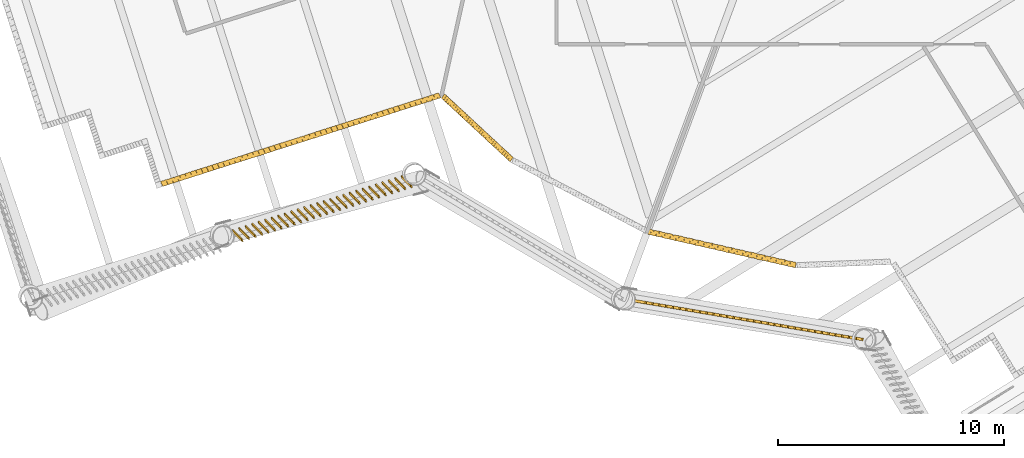
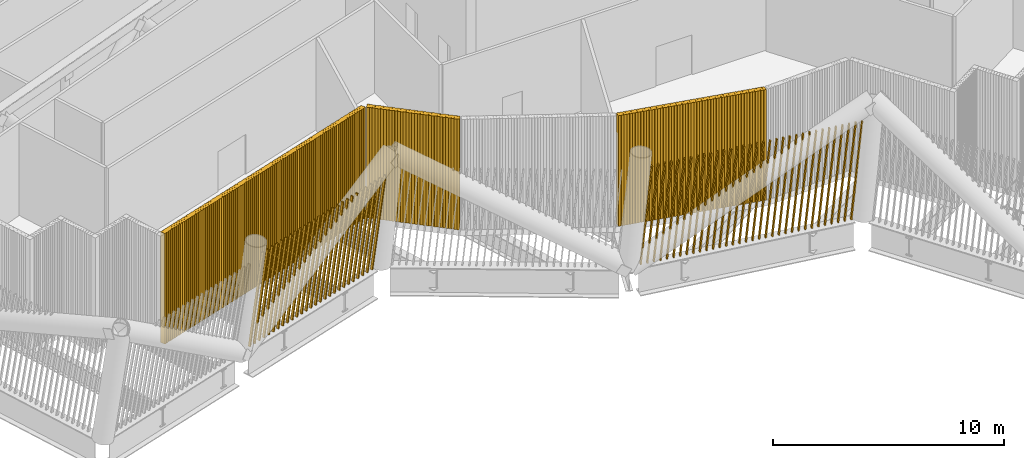
# One storey, part 30 of 40: 5 shading devices.
"""IFC4 building model written with IfcOpenShell, lengths in metres."""

from ifc_helpers import new_model, si_unit, direction, frame, frame_2d, origin, place, context, subcontext, project, spatial, rectangle, composite_profile, extrude, material, type_object, element, save


model = new_model("IFC4")

# Units and contexts
model_context = context("Model", 3, precision=1e-05, world=origin(), true_north=direction((0.0, 1.0)))
body_context = subcontext(model_context, "Body", "Model", "MODEL_VIEW")
ifc_project = project(units=[si_unit("LENGTHUNIT", "METRE"), si_unit("AREAUNIT", "SQUARE_METRE"), si_unit("VOLUMEUNIT", "CUBIC_METRE"), si_unit("PLANEANGLEUNIT", "RADIAN"), si_unit("MASSUNIT", "GRAM", prefix="KILO")], contexts=[model_context])

# Site, building, storey
site_placement = place(None, origin())
site = spatial("IfcSite", under=ifc_project, at=site_placement, CompositionType="ELEMENT")
building_placement = place(site_placement, origin())
building = spatial("IfcBuilding", under=site, at=building_placement, Name="Tarsis Ring Headquarters", CompositionType="ELEMENT")
storey_placement = place(building_placement, frame((0.0, 0.0, 354.800048828125)))
storey = spatial("IfcBuildingStorey", under=building, at=storey_placement, Name="L84", CompositionType="ELEMENT", Elevation=354.800048828125)

# Shading devices
ifc_material_1 = material(Name="Aluminium louvre", Category="aluminium")
shading_device_type_1 = type_object("IfcShadingDeviceType", Name="Plant louvre fin", PredefinedType="USERDEFINED", material=ifc_material_1)
shading_device_1_placement = place(storey_placement, frame((-30.455078125, -22.17138671875, 0.0), z_axis=(0.0, 0.0, 1.0), x_axis=(0.952766914168, 0.303689848665, 0.0)))
element("IfcShadingDevice", 1, at=shading_device_1_placement, inside=storey, type_object=shading_device_type_1, Name="Louvre L84-01", ObjectType="Louvre", PredefinedType="USERDEFINED", context=body_context, shape_type="SweptSolid", body=[
    extrude(composite_profile([rectangle(XDim=0.1201171875, YDim=0.239990234375, at=frame_2d((0.076171875, 0.0), x_axis=(0.990268068742, 0.13917310096))), rectangle(XDim=0.1201171875, YDim=0.239990234375, at=frame_2d((0.201416015625, 0.0), x_axis=(0.990268068742, 0.13917310096))), rectangle(XDim=0.1201171875, YDim=0.239990234375, at=frame_2d((0.32666015625, 0.0), x_axis=(0.990268068742, 0.13917310096))), rectangle(XDim=0.1201171875, YDim=0.239990234375, at=frame_2d((0.45166015625, 0.0), x_axis=(0.990268068742, 0.13917310096))), rectangle(XDim=0.1201171875, YDim=0.239990234375, at=frame_2d((0.576904296875, 0.0), x_axis=(0.990268068742, 0.13917310096))), rectangle(XDim=0.1201171875, YDim=0.239990234375, at=frame_2d((0.7021484375, 0.0), x_axis=(0.990268068742, 0.13917310096))), rectangle(XDim=0.1201171875, YDim=0.239990234375, at=frame_2d((0.827392578125, 0.0), x_axis=(0.990268068742, 0.13917310096))), rectangle(XDim=0.1201171875, YDim=0.239990234375, at=frame_2d((0.95263671875, 0.0), x_axis=(0.990268068742, 0.13917310096))), rectangle(XDim=0.1201171875, YDim=0.239990234375, at=frame_2d((1.07763671875, 0.0), x_axis=(0.990268068742, 0.13917310096))), rectangle(XDim=0.1201171875, YDim=0.239990234375, at=frame_2d((1.202880859375, 0.0), x_axis=(0.990268068742, 0.13917310096))), rectangle(XDim=0.1201171875, YDim=0.239990234375, at=frame_2d((1.328125, 0.0), x_axis=(0.990268068742, 0.13917310096))), rectangle(XDim=0.1201171875, YDim=0.239990234375, at=frame_2d((1.453369140625, 0.0), x_axis=(0.990268068742, 0.13917310096))), rectangle(XDim=0.1201171875, YDim=0.239990234375, at=frame_2d((1.57861328125, 0.0), x_axis=(0.990268068742, 0.13917310096))), rectangle(XDim=0.1201171875, YDim=0.239990234375, at=frame_2d((1.70361328125, 0.0), x_axis=(0.990268068742, 0.13917310096))), rectangle(XDim=0.1201171875, YDim=0.239990234375, at=frame_2d((1.828857421875, 0.0), x_axis=(0.990268068742, 0.13917310096))), rectangle(XDim=0.1201171875, YDim=0.239990234375, at=frame_2d((1.9541015625, 0.0), x_axis=(0.990268068742, 0.13917310096))), rectangle(XDim=0.1201171875, YDim=0.239990234375, at=frame_2d((2.079345703125, 0.0), x_axis=(0.990268068742, 0.13917310096))), rectangle(XDim=0.1201171875, YDim=0.239990234375, at=frame_2d((2.20458984375, 0.0), x_axis=(0.990268068742, 0.13917310096))), rectangle(XDim=0.1201171875, YDim=0.239990234375, at=frame_2d((2.32958984375, 0.0), x_axis=(0.990268068742, 0.13917310096))), rectangle(XDim=0.1201171875, YDim=0.239990234375, at=frame_2d((2.454833984375, 0.0), x_axis=(0.990268068742, 0.13917310096))), rectangle(XDim=0.1201171875, YDim=0.239990234375, at=frame_2d((2.580078125, 0.0), x_axis=(0.990268068742, 0.13917310096))), rectangle(XDim=0.1201171875, YDim=0.239990234375, at=frame_2d((2.705322265625, 0.0), x_axis=(0.990268068742, 0.13917310096))), rectangle(XDim=0.1201171875, YDim=0.239990234375, at=frame_2d((2.830322265625, 0.0), x_axis=(0.990268068742, 0.13917310096))), rectangle(XDim=0.1201171875, YDim=0.239990234375, at=frame_2d((2.95556640625, 0.0), x_axis=(0.990268068742, 0.13917310096))), rectangle(XDim=0.1201171875, YDim=0.239990234375, at=frame_2d((3.080810546875, 0.0), x_axis=(0.990268068742, 0.13917310096))), rectangle(XDim=0.1201171875, YDim=0.239990234375, at=frame_2d((3.2060546875, 0.0), x_axis=(0.990268068742, 0.13917310096))), rectangle(XDim=0.1201171875, YDim=0.239990234375, at=frame_2d((3.331298828125, 0.0), x_axis=(0.990268068742, 0.13917310096))), rectangle(XDim=0.1201171875, YDim=0.239990234375, at=frame_2d((3.456298828125, 0.0), x_axis=(0.990268068742, 0.13917310096))), rectangle(XDim=0.1201171875, YDim=0.239990234375, at=frame_2d((3.58154296875, 0.0), x_axis=(0.990268068742, 0.13917310096))), rectangle(XDim=0.1201171875, YDim=0.239990234375, at=frame_2d((3.706787109375, 0.0), x_axis=(0.990268068742, 0.13917310096))), rectangle(XDim=0.1201171875, YDim=0.239990234375, at=frame_2d((3.83203125, 0.0), x_axis=(0.990268068742, 0.13917310096))), rectangle(XDim=0.1201171875, YDim=0.239990234375, at=frame_2d((3.957275390625, 0.0), x_axis=(0.990268068742, 0.13917310096))), rectangle(XDim=0.1201171875, YDim=0.239990234375, at=frame_2d((4.082275390625, 0.0), x_axis=(0.990268068742, 0.13917310096))), rectangle(XDim=0.1201171875, YDim=0.239990234375, at=frame_2d((4.20751953125, 0.0), x_axis=(0.990268068742, 0.13917310096))), rectangle(XDim=0.1201171875, YDim=0.239990234375, at=frame_2d((4.332763671875, 0.0), x_axis=(0.990268068742, 0.13917310096))), rectangle(XDim=0.1201171875, YDim=0.239990234375, at=frame_2d((4.4580078125, 0.0), x_axis=(0.990268068742, 0.13917310096))), rectangle(XDim=0.1201171875, YDim=0.239990234375, at=frame_2d((4.583251953125, 0.0), x_axis=(0.990268068742, 0.13917310096))), rectangle(XDim=0.1201171875, YDim=0.239990234375, at=frame_2d((4.708251953125, 0.0), x_axis=(0.990268068742, 0.13917310096))), rectangle(XDim=0.1201171875, YDim=0.239990234375, at=frame_2d((4.83349609375, 0.0), x_axis=(0.990268068742, 0.13917310096))), rectangle(XDim=0.1201171875, YDim=0.239990234375, at=frame_2d((4.958740234375, 0.0), x_axis=(0.990268068742, 0.13917310096))), rectangle(XDim=0.1201171875, YDim=0.239990234375, at=frame_2d((5.083984375, 0.0), x_axis=(0.990268068742, 0.13917310096))), rectangle(XDim=0.1201171875, YDim=0.239990234375, at=frame_2d((5.209228515625, 0.0), x_axis=(0.990268068742, 0.13917310096))), rectangle(XDim=0.1201171875, YDim=0.239990234375, at=frame_2d((5.334228515625, 0.0), x_axis=(0.990268068742, 0.13917310096))), rectangle(XDim=0.1201171875, YDim=0.239990234375, at=frame_2d((5.45947265625, 0.0), x_axis=(0.990268068742, 0.13917310096))), rectangle(XDim=0.1201171875, YDim=0.239990234375, at=frame_2d((5.584716796875, 0.0), x_axis=(0.990268068742, 0.13917310096))), rectangle(XDim=0.1201171875, YDim=0.239990234375, at=frame_2d((5.7099609375, 0.0), x_axis=(0.990268068742, 0.13917310096))), rectangle(XDim=0.1201171875, YDim=0.239990234375, at=frame_2d((5.835205078125, 0.0), x_axis=(0.990268068742, 0.13917310096))), rectangle(XDim=0.1201171875, YDim=0.239990234375, at=frame_2d((5.960205078125, 0.0), x_axis=(0.990268068742, 0.13917310096))), rectangle(XDim=0.1201171875, YDim=0.239990234375, at=frame_2d((6.08544921875, 0.0), x_axis=(0.990268068742, 0.13917310096))), rectangle(XDim=0.1201171875, YDim=0.239990234375, at=frame_2d((6.210693359375, 0.0), x_axis=(0.990268068742, 0.13917310096))), rectangle(XDim=0.1201171875, YDim=0.239990234375, at=frame_2d((6.3359375, 0.0), x_axis=(0.990268068742, 0.13917310096))), rectangle(XDim=0.1201171875, YDim=0.239990234375, at=frame_2d((6.4609375, 0.0), x_axis=(0.990268068742, 0.13917310096))), rectangle(XDim=0.1201171875, YDim=0.239990234375, at=frame_2d((6.586181640625, 0.0), x_axis=(0.990268068742, 0.13917310096))), rectangle(XDim=0.1201171875, YDim=0.239990234375, at=frame_2d((6.71142578125, 0.0), x_axis=(0.990268068742, 0.13917310096))), rectangle(XDim=0.1201171875, YDim=0.239990234375, at=frame_2d((6.836669921875, 0.0), x_axis=(0.990268068742, 0.13917310096))), rectangle(XDim=0.1201171875, YDim=0.239990234375, at=frame_2d((6.9619140625, 0.0), x_axis=(0.990268068742, 0.13917310096))), rectangle(XDim=0.1201171875, YDim=0.239990234375, at=frame_2d((7.0869140625, 0.0), x_axis=(0.990268068742, 0.13917310096))), rectangle(XDim=0.1201171875, YDim=0.239990234375, at=frame_2d((7.212158203125, 0.0), x_axis=(0.990268068742, 0.13917310096))), rectangle(XDim=0.1201171875, YDim=0.239990234375, at=frame_2d((7.33740234375, 0.0), x_axis=(0.990268068742, 0.13917310096))), rectangle(XDim=0.1201171875, YDim=0.239990234375, at=frame_2d((7.462646484375, 0.0), x_axis=(0.990268068742, 0.13917310096))), rectangle(XDim=0.1201171875, YDim=0.239990234375, at=frame_2d((7.587890625, 0.0), x_axis=(0.990268068742, 0.13917310096))), rectangle(XDim=0.1201171875, YDim=0.239990234375, at=frame_2d((7.712890625, 0.0), x_axis=(0.990268068742, 0.13917310096))), rectangle(XDim=0.1201171875, YDim=0.239990234375, at=frame_2d((7.838134765625, 0.0), x_axis=(0.990268068742, 0.13917310096))), rectangle(XDim=0.1201171875, YDim=0.239990234375, at=frame_2d((7.96337890625, 0.0), x_axis=(0.990268068742, 0.13917310096))), rectangle(XDim=0.1201171875, YDim=0.239990234375, at=frame_2d((8.088623046875, 0.0), x_axis=(0.990268068742, 0.13917310096))), rectangle(XDim=0.1201171875, YDim=0.239990234375, at=frame_2d((8.2138671875, 0.0), x_axis=(0.990268068742, 0.13917310096))), rectangle(XDim=0.1201171875, YDim=0.239990234375, at=frame_2d((8.3388671875, 0.0), x_axis=(0.990268068742, 0.13917310096))), rectangle(XDim=0.1201171875, YDim=0.239990234375, at=frame_2d((8.464111328125, 0.0), x_axis=(0.990268068742, 0.13917310096))), rectangle(XDim=0.1201171875, YDim=0.239990234375, at=frame_2d((8.58935546875, 0.0), x_axis=(0.990268068742, 0.13917310096))), rectangle(XDim=0.1201171875, YDim=0.239990234375, at=frame_2d((8.714599609375, 0.0), x_axis=(0.990268068742, 0.13917310096))), rectangle(XDim=0.1201171875, YDim=0.239990234375, at=frame_2d((8.83984375, 0.0), x_axis=(0.990268068742, 0.13917310096))), rectangle(XDim=0.1201171875, YDim=0.239990234375, at=frame_2d((8.96484375, 0.0), x_axis=(0.990268068742, 0.13917310096))), rectangle(XDim=0.1201171875, YDim=0.239990234375, at=frame_2d((9.090087890625, 0.0), x_axis=(0.990268068742, 0.13917310096))), rectangle(XDim=0.1201171875, YDim=0.239990234375, at=frame_2d((9.21533203125, 0.0), x_axis=(0.990268068742, 0.13917310096))), rectangle(XDim=0.1201171875, YDim=0.239990234375, at=frame_2d((9.340576171875, 0.0), x_axis=(0.990268068742, 0.13917310096))), rectangle(XDim=0.1201171875, YDim=0.239990234375, at=frame_2d((9.4658203125, 0.0), x_axis=(0.990268068742, 0.13917310096))), rectangle(XDim=0.1201171875, YDim=0.239990234375, at=frame_2d((9.5908203125, 0.0), x_axis=(0.990268068742, 0.13917310096))), rectangle(XDim=0.1201171875, YDim=0.239990234375, at=frame_2d((9.716064453125, 0.0), x_axis=(0.990268068742, 0.13917310096))), rectangle(XDim=0.1201171875, YDim=0.239990234375, at=frame_2d((9.84130859375, 0.0), x_axis=(0.990268068742, 0.13917310096))), rectangle(XDim=0.1201171875, YDim=0.239990234375, at=frame_2d((9.966552734375, 0.0), x_axis=(0.990268068742, 0.13917310096))), rectangle(XDim=0.1201171875, YDim=0.239990234375, at=frame_2d((10.091796875, 0.0), x_axis=(0.990268068742, 0.13917310096))), rectangle(XDim=0.1201171875, YDim=0.239990234375, at=frame_2d((10.216796875, 0.0), x_axis=(0.990268068742, 0.13917310096))), rectangle(XDim=0.1201171875, YDim=0.239990234375, at=frame_2d((10.342041015625, 0.0), x_axis=(0.990268068742, 0.13917310096))), rectangle(XDim=0.1201171875, YDim=0.239990234375, at=frame_2d((10.46728515625, 0.0), x_axis=(0.990268068742, 0.13917310096))), rectangle(XDim=0.1201171875, YDim=0.239990234375, at=frame_2d((10.592529296875, 0.0), x_axis=(0.990268068742, 0.13917310096))), rectangle(XDim=0.1201171875, YDim=0.239990234375, at=frame_2d((10.717529296875, 0.0), x_axis=(0.990268068742, 0.13917310096))), rectangle(XDim=0.1201171875, YDim=0.239990234375, at=frame_2d((10.8427734375, 0.0), x_axis=(0.990268068742, 0.13917310096))), rectangle(XDim=0.1201171875, YDim=0.239990234375, at=frame_2d((10.968017578125, 0.0), x_axis=(0.990268068742, 0.13917310096))), rectangle(XDim=0.1201171875, YDim=0.239990234375, at=frame_2d((11.09326171875, 0.0), x_axis=(0.990268068742, 0.13917310096))), rectangle(XDim=0.1201171875, YDim=0.239990234375, at=frame_2d((11.218505859375, 0.0), x_axis=(0.990268068742, 0.13917310096))), rectangle(XDim=0.1201171875, YDim=0.239990234375, at=frame_2d((11.343505859375, 0.0), x_axis=(0.990268068742, 0.13917310096))), rectangle(XDim=0.1201171875, YDim=0.239990234375, at=frame_2d((11.46875, 0.0), x_axis=(0.990268068742, 0.13917310096))), rectangle(XDim=0.1201171875, YDim=0.239990234375, at=frame_2d((11.593994140625, 0.0), x_axis=(0.990268068742, 0.13917310096))), rectangle(XDim=0.1201171875, YDim=0.239990234375, at=frame_2d((11.71923828125, 0.0), x_axis=(0.990268068742, 0.13917310096))), rectangle(XDim=0.1201171875, YDim=0.239990234375, at=frame_2d((11.844482421875, 0.0), x_axis=(0.990268068742, 0.13917310096))), rectangle(XDim=0.1201171875, YDim=0.239990234375, at=frame_2d((11.969482421875, 0.0), x_axis=(0.990268068742, 0.13917310096))), rectangle(XDim=0.1201171875, YDim=0.239990234375, at=frame_2d((12.0947265625, 0.0), x_axis=(0.990268068742, 0.13917310096))), rectangle(XDim=0.1201171875, YDim=0.239990234375, at=frame_2d((12.219970703125, 0.0), x_axis=(0.990268068742, 0.13917310096))), rectangle(XDim=0.1201171875, YDim=0.239990234375, at=frame_2d((12.34521484375, 0.0), x_axis=(0.990268068742, 0.13917310096))), rectangle(XDim=0.1201171875, YDim=0.239990234375, at=frame_2d((12.470458984375, 0.0), x_axis=(0.990268068742, 0.13917310096))), rectangle(XDim=0.1201171875, YDim=0.239990234375, at=frame_2d((12.595458984375, 0.0), x_axis=(0.990268068742, 0.13917310096))), rectangle(XDim=0.1201171875, YDim=0.239990234375, at=frame_2d((12.720703125, 0.0), x_axis=(0.990268068742, 0.13917310096))), rectangle(XDim=0.1201171875, YDim=0.239990234375, at=frame_2d((12.845947265625, 0.0), x_axis=(0.990268068742, 0.13917310096)))]), origin(), (0.0, 0.0, 1.0), 5.83984375),
])
shading_device_2_placement = place(storey_placement, frame((-18.0205078125, -18.2744140625, 0.0), z_axis=(0.0, 0.0, 1.0), x_axis=(0.733470346447, -0.679682912507, 0.0)))
element("IfcShadingDevice", 2, at=shading_device_2_placement, inside=storey, type_object=shading_device_type_1, Name="Louvre L84-02", ObjectType="Louvre", PredefinedType="USERDEFINED", context=body_context, shape_type="SweptSolid", body=[
    extrude(composite_profile([rectangle(XDim=0.1201171875, YDim=0.239990234375, at=frame_2d((0.076171875, 0.0), x_axis=(0.990268068742, 0.13917310096))), rectangle(XDim=0.1201171875, YDim=0.239990234375, at=frame_2d((0.201416015625, 0.0), x_axis=(0.990268068742, 0.13917310096))), rectangle(XDim=0.1201171875, YDim=0.239990234375, at=frame_2d((0.326416015625, 0.0), x_axis=(0.990268068742, 0.13917310096))), rectangle(XDim=0.1201171875, YDim=0.239990234375, at=frame_2d((0.45166015625, 0.0), x_axis=(0.990268068742, 0.13917310096))), rectangle(XDim=0.1201171875, YDim=0.239990234375, at=frame_2d((0.576904296875, 0.0), x_axis=(0.990268068742, 0.13917310096))), rectangle(XDim=0.1201171875, YDim=0.239990234375, at=frame_2d((0.701904296875, 0.0), x_axis=(0.990268068742, 0.13917310096))), rectangle(XDim=0.1201171875, YDim=0.239990234375, at=frame_2d((0.8271484375, 0.0), x_axis=(0.990268068742, 0.13917310096))), rectangle(XDim=0.1201171875, YDim=0.239990234375, at=frame_2d((0.952392578125, 0.0), x_axis=(0.990268068742, 0.13917310096))), rectangle(XDim=0.1201171875, YDim=0.239990234375, at=frame_2d((1.07763671875, 0.0), x_axis=(0.990268068742, 0.13917310096))), rectangle(XDim=0.1201171875, YDim=0.239990234375, at=frame_2d((1.20263671875, 0.0), x_axis=(0.990268068742, 0.13917310096))), rectangle(XDim=0.1201171875, YDim=0.239990234375, at=frame_2d((1.327880859375, 0.0), x_axis=(0.990268068742, 0.13917310096))), rectangle(XDim=0.1201171875, YDim=0.239990234375, at=frame_2d((1.453125, 0.0), x_axis=(0.990268068742, 0.13917310096))), rectangle(XDim=0.1201171875, YDim=0.239990234375, at=frame_2d((1.578125, 0.0), x_axis=(0.990268068742, 0.13917310096))), rectangle(XDim=0.1201171875, YDim=0.239990234375, at=frame_2d((1.703369140625, 0.0), x_axis=(0.990268068742, 0.13917310096))), rectangle(XDim=0.1201171875, YDim=0.239990234375, at=frame_2d((1.82861328125, 0.0), x_axis=(0.990268068742, 0.13917310096))), rectangle(XDim=0.1201171875, YDim=0.239990234375, at=frame_2d((1.95361328125, 0.0), x_axis=(0.990268068742, 0.13917310096))), rectangle(XDim=0.1201171875, YDim=0.239990234375, at=frame_2d((2.078857421875, 0.0), x_axis=(0.990268068742, 0.13917310096))), rectangle(XDim=0.1201171875, YDim=0.239990234375, at=frame_2d((2.2041015625, 0.0), x_axis=(0.990268068742, 0.13917310096))), rectangle(XDim=0.1201171875, YDim=0.239990234375, at=frame_2d((2.3291015625, 0.0), x_axis=(0.990268068742, 0.13917310096))), rectangle(XDim=0.1201171875, YDim=0.239990234375, at=frame_2d((2.454345703125, 0.0), x_axis=(0.990268068742, 0.13917310096))), rectangle(XDim=0.1201171875, YDim=0.239990234375, at=frame_2d((2.57958984375, 0.0), x_axis=(0.990268068742, 0.13917310096))), rectangle(XDim=0.1201171875, YDim=0.239990234375, at=frame_2d((2.70458984375, 0.0), x_axis=(0.990268068742, 0.13917310096))), rectangle(XDim=0.1201171875, YDim=0.239990234375, at=frame_2d((2.829833984375, 0.0), x_axis=(0.990268068742, 0.13917310096))), rectangle(XDim=0.1201171875, YDim=0.239990234375, at=frame_2d((2.955078125, 0.0), x_axis=(0.990268068742, 0.13917310096))), rectangle(XDim=0.1201171875, YDim=0.239990234375, at=frame_2d((3.080078125, 0.0), x_axis=(0.990268068742, 0.13917310096))), rectangle(XDim=0.1201171875, YDim=0.239990234375, at=frame_2d((3.205322265625, 0.0), x_axis=(0.990268068742, 0.13917310096))), rectangle(XDim=0.1201171875, YDim=0.239990234375, at=frame_2d((3.33056640625, 0.0), x_axis=(0.990268068742, 0.13917310096))), rectangle(XDim=0.1201171875, YDim=0.239990234375, at=frame_2d((3.455810546875, 0.0), x_axis=(0.990268068742, 0.13917310096))), rectangle(XDim=0.1201171875, YDim=0.239990234375, at=frame_2d((3.580810546875, 0.0), x_axis=(0.990268068742, 0.13917310096))), rectangle(XDim=0.1201171875, YDim=0.239990234375, at=frame_2d((3.7060546875, 0.0), x_axis=(0.990268068742, 0.13917310096))), rectangle(XDim=0.1201171875, YDim=0.239990234375, at=frame_2d((3.831298828125, 0.0), x_axis=(0.990268068742, 0.13917310096))), rectangle(XDim=0.1201171875, YDim=0.239990234375, at=frame_2d((3.956298828125, 0.0), x_axis=(0.990268068742, 0.13917310096))), rectangle(XDim=0.1201171875, YDim=0.239990234375, at=frame_2d((4.08154296875, 0.0), x_axis=(0.990268068742, 0.13917310096)))]), origin(), (0.0, 0.0, 1.0), 5.83984375),
])
shading_device_3_placement = place(storey_placement, frame((-8.968994140625, -24.267333984375, 0.0), z_axis=(0.0, 0.0, 1.0), x_axis=(0.975082634122, -0.221895318005, 0.0)))
element("IfcShadingDevice", 3, at=shading_device_3_placement, inside=storey, type_object=shading_device_type_1, Name="Louvre L84-04", ObjectType="Louvre", PredefinedType="USERDEFINED", context=body_context, shape_type="SweptSolid", body=[
    extrude(composite_profile([rectangle(XDim=0.1201171875, YDim=0.239990234375, at=frame_2d((0.076171875, 0.0), x_axis=(0.990268068742, 0.13917310096))), rectangle(XDim=0.1201171875, YDim=0.239990234375, at=frame_2d((0.202392578125, 0.0), x_axis=(0.990268068742, 0.13917310096))), rectangle(XDim=0.1201171875, YDim=0.239990234375, at=frame_2d((0.328857421875, 0.0), x_axis=(0.990268068742, 0.13917310096))), rectangle(XDim=0.1201171875, YDim=0.239990234375, at=frame_2d((0.455078125, 0.0), x_axis=(0.990268068742, 0.13917310096))), rectangle(XDim=0.1201171875, YDim=0.239990234375, at=frame_2d((0.58154296875, 0.0), x_axis=(0.990268068742, 0.13917310096))), rectangle(XDim=0.1201171875, YDim=0.239990234375, at=frame_2d((0.707763671875, 0.0), x_axis=(0.990268068742, 0.13917310096))), rectangle(XDim=0.1201171875, YDim=0.239990234375, at=frame_2d((0.834228515625, 0.0), x_axis=(0.990268068742, 0.13917310096))), rectangle(XDim=0.1201171875, YDim=0.239990234375, at=frame_2d((0.96044921875, 0.0), x_axis=(0.990268068742, 0.13917310096))), rectangle(XDim=0.1201171875, YDim=0.239990234375, at=frame_2d((1.0869140625, 0.0), x_axis=(0.990268068742, 0.13917310096))), rectangle(XDim=0.1201171875, YDim=0.239990234375, at=frame_2d((1.213134765625, 0.0), x_axis=(0.990268068742, 0.13917310096))), rectangle(XDim=0.1201171875, YDim=0.239990234375, at=frame_2d((1.33935546875, 0.0), x_axis=(0.990268068742, 0.13917310096))), rectangle(XDim=0.1201171875, YDim=0.239990234375, at=frame_2d((1.4658203125, 0.0), x_axis=(0.990268068742, 0.13917310096))), rectangle(XDim=0.1201171875, YDim=0.239990234375, at=frame_2d((1.592041015625, 0.0), x_axis=(0.990268068742, 0.13917310096))), rectangle(XDim=0.1201171875, YDim=0.239990234375, at=frame_2d((1.718505859375, 0.0), x_axis=(0.990268068742, 0.13917310096))), rectangle(XDim=0.1201171875, YDim=0.239990234375, at=frame_2d((1.8447265625, 0.0), x_axis=(0.990268068742, 0.13917310096))), rectangle(XDim=0.1201171875, YDim=0.239990234375, at=frame_2d((1.97119140625, 0.0), x_axis=(0.990268068742, 0.13917310096))), rectangle(XDim=0.1201171875, YDim=0.239990234375, at=frame_2d((2.097412109375, 0.0), x_axis=(0.990268068742, 0.13917310096))), rectangle(XDim=0.1201171875, YDim=0.239990234375, at=frame_2d((2.223876953125, 0.0), x_axis=(0.990268068742, 0.13917310096))), rectangle(XDim=0.1201171875, YDim=0.239990234375, at=frame_2d((2.35009765625, 0.0), x_axis=(0.990268068742, 0.13917310096))), rectangle(XDim=0.1201171875, YDim=0.239990234375, at=frame_2d((2.476318359375, 0.0), x_axis=(0.990268068742, 0.13917310096))), rectangle(XDim=0.1201171875, YDim=0.239990234375, at=frame_2d((2.602783203125, 0.0), x_axis=(0.990268068742, 0.13917310096))), rectangle(XDim=0.1201171875, YDim=0.239990234375, at=frame_2d((2.72900390625, 0.0), x_axis=(0.990268068742, 0.13917310096))), rectangle(XDim=0.1201171875, YDim=0.239990234375, at=frame_2d((2.85546875, 0.0), x_axis=(0.990268068742, 0.13917310096))), rectangle(XDim=0.1201171875, YDim=0.239990234375, at=frame_2d((2.981689453125, 0.0), x_axis=(0.990268068742, 0.13917310096))), rectangle(XDim=0.1201171875, YDim=0.239990234375, at=frame_2d((3.108154296875, 0.0), x_axis=(0.990268068742, 0.13917310096))), rectangle(XDim=0.1201171875, YDim=0.239990234375, at=frame_2d((3.234375, 0.0), x_axis=(0.990268068742, 0.13917310096))), rectangle(XDim=0.1201171875, YDim=0.239990234375, at=frame_2d((3.36083984375, 0.0), x_axis=(0.990268068742, 0.13917310096))), rectangle(XDim=0.1201171875, YDim=0.239990234375, at=frame_2d((3.487060546875, 0.0), x_axis=(0.990268068742, 0.13917310096))), rectangle(XDim=0.1201171875, YDim=0.239990234375, at=frame_2d((3.61328125, 0.0), x_axis=(0.990268068742, 0.13917310096))), rectangle(XDim=0.1201171875, YDim=0.239990234375, at=frame_2d((3.73974609375, 0.0), x_axis=(0.990268068742, 0.13917310096))), rectangle(XDim=0.1201171875, YDim=0.239990234375, at=frame_2d((3.865966796875, 0.0), x_axis=(0.990268068742, 0.13917310096))), rectangle(XDim=0.1201171875, YDim=0.239990234375, at=frame_2d((3.992431640625, 0.0), x_axis=(0.990268068742, 0.13917310096))), rectangle(XDim=0.1201171875, YDim=0.239990234375, at=frame_2d((4.11865234375, 0.0), x_axis=(0.990268068742, 0.13917310096))), rectangle(XDim=0.1201171875, YDim=0.239990234375, at=frame_2d((4.2451171875, 0.0), x_axis=(0.990268068742, 0.13917310096))), rectangle(XDim=0.1201171875, YDim=0.239990234375, at=frame_2d((4.371337890625, 0.0), x_axis=(0.990268068742, 0.13917310096))), rectangle(XDim=0.1201171875, YDim=0.239990234375, at=frame_2d((4.49755859375, 0.0), x_axis=(0.990268068742, 0.13917310096))), rectangle(XDim=0.1201171875, YDim=0.239990234375, at=frame_2d((4.6240234375, 0.0), x_axis=(0.990268068742, 0.13917310096))), rectangle(XDim=0.1201171875, YDim=0.239990234375, at=frame_2d((4.750244140625, 0.0), x_axis=(0.990268068742, 0.13917310096))), rectangle(XDim=0.1201171875, YDim=0.239990234375, at=frame_2d((4.876708984375, 0.0), x_axis=(0.990268068742, 0.13917310096))), rectangle(XDim=0.1201171875, YDim=0.239990234375, at=frame_2d((5.0029296875, 0.0), x_axis=(0.990268068742, 0.13917310096))), rectangle(XDim=0.1201171875, YDim=0.239990234375, at=frame_2d((5.12939453125, 0.0), x_axis=(0.990268068742, 0.13917310096))), rectangle(XDim=0.1201171875, YDim=0.239990234375, at=frame_2d((5.255615234375, 0.0), x_axis=(0.990268068742, 0.13917310096))), rectangle(XDim=0.1201171875, YDim=0.239990234375, at=frame_2d((5.382080078125, 0.0), x_axis=(0.990268068742, 0.13917310096))), rectangle(XDim=0.1201171875, YDim=0.239990234375, at=frame_2d((5.50830078125, 0.0), x_axis=(0.990268068742, 0.13917310096))), rectangle(XDim=0.1201171875, YDim=0.239990234375, at=frame_2d((5.634521484375, 0.0), x_axis=(0.990268068742, 0.13917310096))), rectangle(XDim=0.1201171875, YDim=0.239990234375, at=frame_2d((5.760986328125, 0.0), x_axis=(0.990268068742, 0.13917310096))), rectangle(XDim=0.1201171875, YDim=0.239990234375, at=frame_2d((5.88720703125, 0.0), x_axis=(0.990268068742, 0.13917310096))), rectangle(XDim=0.1201171875, YDim=0.239990234375, at=frame_2d((6.013671875, 0.0), x_axis=(0.990268068742, 0.13917310096))), rectangle(XDim=0.1201171875, YDim=0.239990234375, at=frame_2d((6.139892578125, 0.0), x_axis=(0.990268068742, 0.13917310096))), rectangle(XDim=0.1201171875, YDim=0.239990234375, at=frame_2d((6.266357421875, 0.0), x_axis=(0.990268068742, 0.13917310096))), rectangle(XDim=0.1201171875, YDim=0.239990234375, at=frame_2d((6.392578125, 0.0), x_axis=(0.990268068742, 0.13917310096))), rectangle(XDim=0.1201171875, YDim=0.239990234375, at=frame_2d((6.51904296875, 0.0), x_axis=(0.990268068742, 0.13917310096))), rectangle(XDim=0.1201171875, YDim=0.239990234375, at=frame_2d((6.645263671875, 0.0), x_axis=(0.990268068742, 0.13917310096)))]), origin(), (0.0, 0.0, 1.0), 5.83984375),
])
ifc_material_2 = material(Name="Terracotta baguette", Category="masonry")
shading_device_type_2 = type_object("IfcShadingDeviceType", Name="Terracotta baguette screen", PredefinedType="USERDEFINED", material=ifc_material_2)
shading_device_4_placement = place(storey_placement, frame((-9.594482421875, -27.324462890625, 0.0), z_axis=(0.0, 0.0, 1.0), x_axis=(0.985883822611, -0.167370393504, 0.0)))
element("IfcShadingDevice", 4, at=shading_device_4_placement, inside=storey, type_object=shading_device_type_2, Name="Baguette screen L84-00", ObjectType="Terracotta baguette screen", PredefinedType="USERDEFINED", context=body_context, shape_type="SweptSolid", body=[
    extrude(composite_profile([rectangle(XDim=0.06005859375, YDim=0.1201171875, at=frame_2d((0.030029296875, 0.0))), rectangle(XDim=0.06005859375, YDim=0.1201171875, at=frame_2d((0.33349609375, 0.0))), rectangle(XDim=0.06005859375, YDim=0.1201171875, at=frame_2d((0.636962890625, 0.0))), rectangle(XDim=0.06005859375, YDim=0.1201171875, at=frame_2d((0.9404296875, 0.0))), rectangle(XDim=0.06005859375, YDim=0.1201171875, at=frame_2d((1.243896484375, 0.0))), rectangle(XDim=0.06005859375, YDim=0.1201171875, at=frame_2d((1.54736328125, 0.0))), rectangle(XDim=0.06005859375, YDim=0.1201171875, at=frame_2d((1.85107421875, 0.0))), rectangle(XDim=0.06005859375, YDim=0.1201171875, at=frame_2d((2.154541015625, 0.0))), rectangle(XDim=0.06005859375, YDim=0.1201171875, at=frame_2d((2.4580078125, 0.0))), rectangle(XDim=0.06005859375, YDim=0.1201171875, at=frame_2d((2.761474609375, 0.0))), rectangle(XDim=0.06005859375, YDim=0.1201171875, at=frame_2d((3.06494140625, 0.0))), rectangle(XDim=0.06005859375, YDim=0.1201171875, at=frame_2d((3.368408203125, 0.0))), rectangle(XDim=0.06005859375, YDim=0.1201171875, at=frame_2d((3.671875, 0.0))), rectangle(XDim=0.06005859375, YDim=0.1201171875, at=frame_2d((3.975341796875, 0.0))), rectangle(XDim=0.06005859375, YDim=0.1201171875, at=frame_2d((4.27880859375, 0.0))), rectangle(XDim=0.06005859375, YDim=0.1201171875, at=frame_2d((4.582275390625, 0.0))), rectangle(XDim=0.06005859375, YDim=0.1201171875, at=frame_2d((4.8857421875, 0.0))), rectangle(XDim=0.06005859375, YDim=0.1201171875, at=frame_2d((5.189453125, 0.0))), rectangle(XDim=0.06005859375, YDim=0.1201171875, at=frame_2d((5.492919921875, 0.0))), rectangle(XDim=0.06005859375, YDim=0.1201171875, at=frame_2d((5.79638671875, 0.0))), rectangle(XDim=0.06005859375, YDim=0.1201171875, at=frame_2d((6.099853515625, 0.0))), rectangle(XDim=0.06005859375, YDim=0.1201171875, at=frame_2d((6.4033203125, 0.0))), rectangle(XDim=0.06005859375, YDim=0.1201171875, at=frame_2d((6.706787109375, 0.0))), rectangle(XDim=0.06005859375, YDim=0.1201171875, at=frame_2d((7.01025390625, 0.0))), rectangle(XDim=0.06005859375, YDim=0.1201171875, at=frame_2d((7.313720703125, 0.0))), rectangle(XDim=0.06005859375, YDim=0.1201171875, at=frame_2d((7.6171875, 0.0))), rectangle(XDim=0.06005859375, YDim=0.1201171875, at=frame_2d((7.920654296875, 0.0))), rectangle(XDim=0.06005859375, YDim=0.1201171875, at=frame_2d((8.224365234375, 0.0))), rectangle(XDim=0.06005859375, YDim=0.1201171875, at=frame_2d((8.52783203125, 0.0))), rectangle(XDim=0.06005859375, YDim=0.1201171875, at=frame_2d((8.831298828125, 0.0))), rectangle(XDim=0.06005859375, YDim=0.1201171875, at=frame_2d((9.134765625, 0.0))), rectangle(XDim=0.06005859375, YDim=0.1201171875, at=frame_2d((9.438232421875, 0.0))), rectangle(XDim=0.06005859375, YDim=0.1201171875, at=frame_2d((9.74169921875, 0.0)))]), origin(), (0.101450057303, 0.000920938203, 0.994840207142), 5.10693359375),
])
shading_device_5_placement = place(storey_placement, frame((-27.325439453125, -24.243896484375, 0.0), z_axis=(0.0, 0.0, 1.0), x_axis=(0.952760527698, 0.303704390274, 0.0)))
element("IfcShadingDevice", 5, at=shading_device_5_placement, inside=storey, type_object=shading_device_type_2, Name="Baguette screen L84-18", ObjectType="Terracotta baguette screen", PredefinedType="USERDEFINED", context=body_context, shape_type="SweptSolid", body=[
    extrude(composite_profile([rectangle(XDim=0.06005859375, YDim=0.1201171875, at=frame_2d((0.030029296875, 0.0))), rectangle(XDim=0.06005859375, YDim=0.1201171875, at=frame_2d((0.33154296875, 0.0))), rectangle(XDim=0.06005859375, YDim=0.1201171875, at=frame_2d((0.63330078125, 0.0))), rectangle(XDim=0.06005859375, YDim=0.1201171875, at=frame_2d((0.934814453125, 0.0))), rectangle(XDim=0.06005859375, YDim=0.1201171875, at=frame_2d((1.236572265625, 0.0))), rectangle(XDim=0.06005859375, YDim=0.1201171875, at=frame_2d((1.5380859375, 0.0))), rectangle(XDim=0.06005859375, YDim=0.1201171875, at=frame_2d((1.83984375, 0.0))), rectangle(XDim=0.06005859375, YDim=0.1201171875, at=frame_2d((2.141357421875, 0.0))), rectangle(XDim=0.06005859375, YDim=0.1201171875, at=frame_2d((2.443115234375, 0.0))), rectangle(XDim=0.06005859375, YDim=0.1201171875, at=frame_2d((2.74462890625, 0.0))), rectangle(XDim=0.06005859375, YDim=0.1201171875, at=frame_2d((3.04638671875, 0.0))), rectangle(XDim=0.06005859375, YDim=0.1201171875, at=frame_2d((3.347900390625, 0.0))), rectangle(XDim=0.06005859375, YDim=0.1201171875, at=frame_2d((3.649658203125, 0.0))), rectangle(XDim=0.06005859375, YDim=0.1201171875, at=frame_2d((3.951171875, 0.0))), rectangle(XDim=0.06005859375, YDim=0.1201171875, at=frame_2d((4.252685546875, 0.0))), rectangle(XDim=0.06005859375, YDim=0.1201171875, at=frame_2d((4.554443359375, 0.0))), rectangle(XDim=0.06005859375, YDim=0.1201171875, at=frame_2d((4.85595703125, 0.0))), rectangle(XDim=0.06005859375, YDim=0.1201171875, at=frame_2d((5.15771484375, 0.0))), rectangle(XDim=0.06005859375, YDim=0.1201171875, at=frame_2d((5.459228515625, 0.0))), rectangle(XDim=0.06005859375, YDim=0.1201171875, at=frame_2d((5.760986328125, 0.0))), rectangle(XDim=0.06005859375, YDim=0.1201171875, at=frame_2d((6.0625, 0.0))), rectangle(XDim=0.06005859375, YDim=0.1201171875, at=frame_2d((6.3642578125, 0.0))), rectangle(XDim=0.06005859375, YDim=0.1201171875, at=frame_2d((6.665771484375, 0.0))), rectangle(XDim=0.06005859375, YDim=0.1201171875, at=frame_2d((6.967529296875, 0.0))), rectangle(XDim=0.06005859375, YDim=0.1201171875, at=frame_2d((7.26904296875, 0.0))), rectangle(XDim=0.06005859375, YDim=0.1201171875, at=frame_2d((7.57080078125, 0.0))), rectangle(XDim=0.06005859375, YDim=0.1201171875, at=frame_2d((7.872314453125, 0.0)))]), origin(), (0.053457837563, -0.10400019663, 0.993139576648), 5.11572265625),
])

save(model, "model.ifc")
